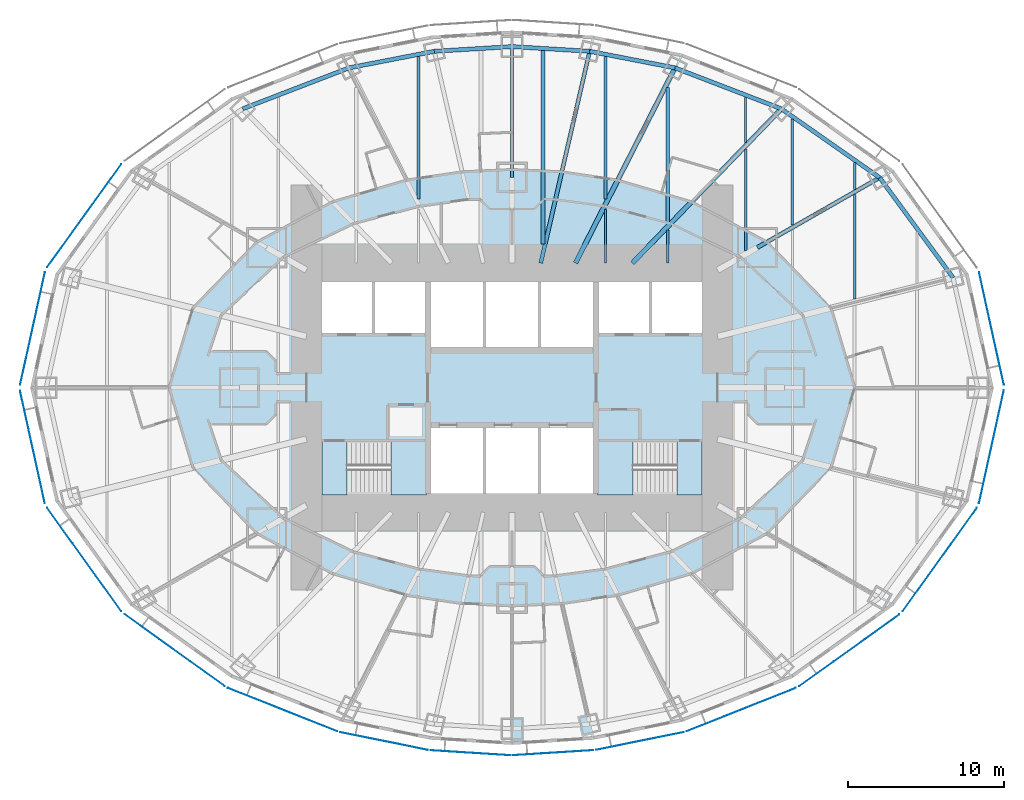
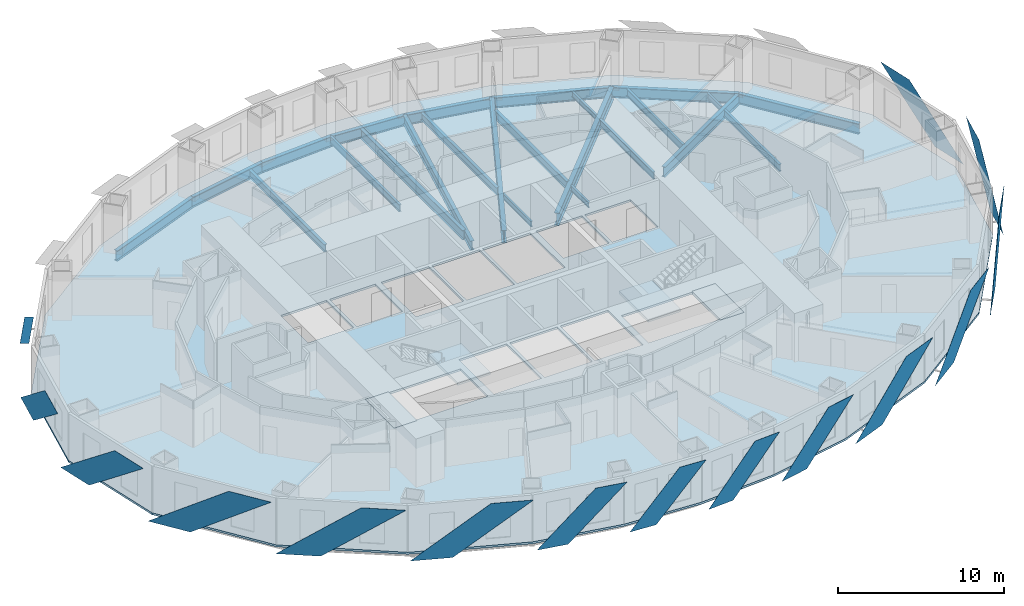
# One storey, part 3 of 15: 24 beams, 15 plates, 5 slabs, 2 elements without a shape of their own.
"""IFC4 building model written with IfcOpenShell, lengths in metres."""

from ifc_helpers import new_model, si_unit, direction, frame, origin, origin_2d, place, context, subcontext, project, spatial, polyline, i_section, outline, extrude, material, layer, layer_set, material_profile, profile_set, type_object, element, aggregate, save


model = new_model("IFC4")

# Units and contexts
model_context = context("Model", 3, precision=1e-05, world=origin(), true_north=direction((0.0, 1.0)))
body_context = subcontext(model_context, "Body", "Model", "MODEL_VIEW")
ifc_project = project(units=[si_unit("LENGTHUNIT", "METRE"), si_unit("AREAUNIT", "SQUARE_METRE"), si_unit("VOLUMEUNIT", "CUBIC_METRE"), si_unit("PLANEANGLEUNIT", "RADIAN"), si_unit("MASSUNIT", "GRAM", prefix="KILO")], contexts=[model_context])

# Site, building, storey
site_placement = place(None, origin())
site = spatial("IfcSite", under=ifc_project, at=site_placement, CompositionType="ELEMENT")
building_placement = place(site_placement, origin())
building = spatial("IfcBuilding", under=site, at=building_placement, Name="Lantaw Convention Tower", CompositionType="ELEMENT")
storey_placement = place(building_placement, frame((0.0, 0.0, 73.0)))
storey = spatial("IfcBuildingStorey", under=building, at=storey_placement, Name="L16", CompositionType="ELEMENT", Elevation=73.0)

# Beams
ifc_material_1 = material(Name="Steel ASTM A992", Category="steel")
ifc_material_profile_1 = material_profile(ifc_material_1, i_section(OverallWidth=0.2666015625, OverallDepth=0.76953125, WebThickness=0.015625, FlangeThickness=0.025390625, FilletRadius=0.0126953125, at=origin_2d()), Name="W30X132")
ifc_profile_set_1 = profile_set([ifc_material_profile_1], Name="Steel ASTM A992")
beam_type_1 = type_object("IfcBeamType", Name="Beam E W30X132", PredefinedType="SPANDREL", material=ifc_profile_set_1)
beam_1_placement = place(storey_placement, frame((28.31787109375, 7.060302734375, -0.534912109375), z_axis=(-0.591270709086, 0.806473154281, 0.0), x_axis=(-0.806473154281, -0.591270709086, 0.0)))
element("IfcBeam", 1, at=beam_1_placement, inside=storey, type_object=beam_type_1, Name="Edge beam 2", PredefinedType="SPANDREL", context=body_context, shape_type="SweptSolid", body=[
    extrude(i_section(OverallWidth=0.2666015625, OverallDepth=0.76953125, WebThickness=0.015625, FlangeThickness=0.025390625, FilletRadius=0.0126953125, at=origin_2d()), origin(), (0.0, 0.0, 1.0), 7.970703125),
])
beam_2_placement = place(storey_placement, frame((23.60498046875, 13.488525390625, -0.534912109375), z_axis=(-0.81942686407, 0.57318375277, 0.0), x_axis=(-0.57318375277, -0.81942686407, 0.0)))
element("IfcBeam", 2, at=beam_2_placement, inside=storey, type_object=beam_type_1, Name="Edge beam 3", PredefinedType="SPANDREL", context=body_context, shape_type="SweptSolid", body=[
    extrude(i_section(OverallWidth=0.2666015625, OverallDepth=0.76953125, WebThickness=0.015625, FlangeThickness=0.025390625, FilletRadius=0.0126953125, at=origin_2d()), origin(), (0.0, 0.0, 1.0), 7.70556640625),
])
beam_3_placement = place(storey_placement, frame((17.290771484375, 17.9052734375, -0.534912109375), z_axis=(-0.933232900641, 0.359271976588, 0.0), x_axis=(-0.359271976588, -0.933232900641, 0.0)))
element("IfcBeam", 3, at=beam_3_placement, inside=storey, type_object=beam_type_1, Name="Edge beam 4", PredefinedType="SPANDREL", context=body_context, shape_type="SweptSolid", body=[
    extrude(i_section(OverallWidth=0.2666015625, OverallDepth=0.76953125, WebThickness=0.015625, FlangeThickness=0.025390625, FilletRadius=0.0126953125, at=origin_2d()), origin(), (0.0, 0.0, 1.0), 7.316650390625),
])
beam_4_placement = place(storey_placement, frame((10.462646484375, 20.533935546875, -0.534912109375), z_axis=(-0.981636565323, 0.190760723474, 0.0), x_axis=(-0.190760723474, -0.981636565323, 0.0)))
element("IfcBeam", 4, at=beam_4_placement, inside=storey, type_object=beam_type_1, Name="Edge beam 5", PredefinedType="SPANDREL", context=body_context, shape_type="SweptSolid", body=[
    extrude(i_section(OverallWidth=0.2666015625, OverallDepth=0.76953125, WebThickness=0.015625, FlangeThickness=0.025390625, FilletRadius=0.0126953125, at=origin_2d()), origin(), (0.0, 0.0, 1.0), 5.578857421875),
])
for number, where, z_axis, x_axis, name in (
    (5, (4.986328125, 21.59814453125, -0.534912109375), (-0.998173858406, 0.060406526096, 0.0), (-0.060406526096, -0.998173858406, 0.0), "Edge beam 6"),
    (6, (0.0, 21.89990234375, -0.534912109375), (-0.998173858406, -0.060406526096, 0.0), (0.060406526096, -0.998173858406, 0.0), "Edge beam 7"),
):
    element("IfcBeam", number, at=place(storey_placement, frame(where, z_axis=z_axis, x_axis=x_axis)), inside=storey, type_object=beam_type_1, Name=name, PredefinedType="SPANDREL", context=body_context, shape_type="SweptSolid", body=[
        extrude(i_section(OverallWidth=0.2666015625, OverallDepth=0.76953125, WebThickness=0.015625, FlangeThickness=0.025390625, FilletRadius=0.0126953125, at=origin_2d()), origin(), (0.0, 0.0, 1.0), 4.995361328125),
    ])
beam_5_placement = place(storey_placement, frame((-4.986328125, 21.59814453125, -0.534912109375), z_axis=(-0.981636565323, -0.190760723474, 0.0), x_axis=(0.190760723474, -0.981636565323, 0.0)))
element("IfcBeam", 7, at=beam_5_placement, inside=storey, type_object=beam_type_1, Name="Edge beam 8", PredefinedType="SPANDREL", context=body_context, shape_type="SweptSolid", body=[
    extrude(i_section(OverallWidth=0.2666015625, OverallDepth=0.76953125, WebThickness=0.015625, FlangeThickness=0.025390625, FilletRadius=0.0126953125, at=origin_2d()), origin(), (0.0, 0.0, 1.0), 5.578857421875),
])
beam_6_placement = place(storey_placement, frame((-10.462646484375, 20.533935546875, -0.534912109375), z_axis=(-0.933232900641, -0.359271976588, 0.0), x_axis=(0.359271976588, -0.933232900641, 0.0)))
element("IfcBeam", 8, at=beam_6_placement, inside=storey, type_object=beam_type_1, Name="Edge beam 9", PredefinedType="SPANDREL", context=body_context, shape_type="SweptSolid", body=[
    extrude(i_section(OverallWidth=0.2666015625, OverallDepth=0.76953125, WebThickness=0.015625, FlangeThickness=0.025390625, FilletRadius=0.0126953125, at=origin_2d()), origin(), (0.0, 0.0, 1.0), 7.316650390625),
])
ifc_material_profile_2 = material_profile(ifc_material_1, i_section(OverallWidth=0.1650390625, OverallDepth=0.52587890625, WebThickness=0.0087890625, FlangeThickness=0.011474609375, FilletRadius=0.0126953125, at=origin_2d()), Name="W21X44")
ifc_profile_set_2 = profile_set([ifc_material_profile_2], Name="Steel ASTM A992")
beam_type_2 = type_object("IfcBeamType", Name="Beam G W21X44", PredefinedType="BEAM", material=ifc_profile_set_2)
beam_7_placement = place(storey_placement, frame((0.0, 13.5, -0.412841796875), z_axis=(0.0, 1.0, 0.0), x_axis=(-1.0, 0.0, 0.0)))
element("IfcBeam", 9, at=beam_7_placement, inside=storey, type_object=beam_type_2, Name="Floor girder on ray 7", PredefinedType="BEAM", context=body_context, shape_type="SweptSolid", body=[
    extrude(i_section(OverallWidth=0.1650390625, OverallDepth=0.52587890625, WebThickness=0.0087890625, FlangeThickness=0.011474609375, FilletRadius=0.0126953125, at=origin_2d()), origin(), (0.0, 0.0, 1.0), 8.39990234375),
])
ifc_material_profile_3 = material_profile(ifc_material_1, i_section(OverallWidth=0.25390625, OverallDepth=0.683349609375, WebThickness=0.012451171875, FlangeThickness=0.01904296875, FilletRadius=0.01513671875, at=origin_2d()), Name="W27X94")
ifc_profile_set_3 = profile_set([ifc_material_profile_3], Name="Steel ASTM A992")
beam_type_3 = type_object("IfcBeamType", Name="Beam G W27X94", PredefinedType="BEAM", material=ifc_profile_set_3)
beam_8_placement = place(storey_placement, frame((1.846923828125, 8.0, -0.49169921875), z_axis=(0.224952773175, 0.97436966796, 0.0), x_axis=(-0.97436966796, 0.224952773175, 0.0)))
element("IfcBeam", 10, at=beam_8_placement, inside=storey, type_object=beam_type_3, Name="Floor girder on ray 6", PredefinedType="BEAM", context=body_context, shape_type="SweptSolid", body=[
    extrude(i_section(OverallWidth=0.25390625, OverallDepth=0.683349609375, WebThickness=0.012451171875, FlangeThickness=0.01904296875, FilletRadius=0.01513671875, at=origin_2d()), origin(), (0.0, 0.0, 1.0), 13.955810546875),
])
ifc_material_profile_4 = material_profile(ifc_material_1, i_section(OverallWidth=0.2666015625, OverallDepth=0.7568359375, WebThickness=0.013916015625, FlangeThickness=0.019287109375, FilletRadius=0.0126953125, at=origin_2d()), Name="W30X108")
ifc_profile_set_4 = profile_set([ifc_material_profile_4], Name="Steel ASTM A992")
beam_type_4 = type_object("IfcBeamType", Name="Beam G W30X108", PredefinedType="BEAM", material=ifc_profile_set_4)
beam_9_placement = place(storey_placement, frame((15.75, 9.0, -0.528564453125), z_axis=(0.868244802791, 0.496136032179, 0.0), x_axis=(-0.496136032179, 0.868244802791, 0.0)))
element("IfcBeam", 11, at=beam_9_placement, inside=storey, type_object=beam_type_4, Name="Floor girder on ray 3", PredefinedType="BEAM", context=body_context, shape_type="SweptSolid", body=[
    extrude(i_section(OverallWidth=0.2666015625, OverallDepth=0.7568359375, WebThickness=0.013916015625, FlangeThickness=0.019287109375, FilletRadius=0.0126953125, at=origin_2d()), origin(), (0.0, 0.0, 1.0), 9.046875),
])
ifc_material_profile_5 = material_profile(ifc_material_1, i_section(OverallWidth=0.307373046875, OverallDepth=0.922119140625, WebThickness=0.018310546875, FlangeThickness=0.030029296875, FilletRadius=0.0126953125, at=origin_2d()), Name="W36X182")
ifc_profile_set_5 = profile_set([ifc_material_profile_5], Name="Steel ASTM A992")
beam_type_5 = type_object("IfcBeamType", Name="Beam G W36X182", PredefinedType="BEAM", material=ifc_profile_set_5)
beam_10_placement = place(storey_placement, frame((7.7255859375, 8.0, -0.611083984375), z_axis=(0.694649884291, 0.719347995239, 0.0), x_axis=(-0.719347995239, 0.694649884291, 0.0)))
element("IfcBeam", 12, at=beam_10_placement, inside=storey, type_object=beam_type_5, Name="Floor girder on ray 4", PredefinedType="BEAM", context=body_context, shape_type="SweptSolid", body=[
    extrude(i_section(OverallWidth=0.307373046875, OverallDepth=0.922119140625, WebThickness=0.018310546875, FlangeThickness=0.030029296875, FilletRadius=0.0126953125, at=origin_2d()), origin(), (0.0, 0.0, 1.0), 13.769775390625),
])
beam_11_placement = place(storey_placement, frame((4.076171875, 8.0, -0.611083984375), z_axis=(0.453997016122, 0.891003203896, 0.0), x_axis=(-0.891003203896, 0.453997016122, 0.0)))
element("IfcBeam", 13, at=beam_11_placement, inside=storey, type_object=beam_type_5, Name="Floor girder on ray 5", PredefinedType="BEAM", context=body_context, shape_type="SweptSolid", body=[
    extrude(i_section(OverallWidth=0.307373046875, OverallDepth=0.922119140625, WebThickness=0.018310546875, FlangeThickness=0.030029296875, FilletRadius=0.0126953125, at=origin_2d()), origin(), (0.0, 0.0, 1.0), 14.067138671875),
])
ifc_material_profile_6 = material_profile(ifc_material_1, i_section(OverallWidth=0.140380859375, OverallDepth=0.40380859375, WebThickness=0.007080078125, FlangeThickness=0.01123046875, FilletRadius=0.01025390625, at=origin_2d()), Name="W16X31")
ifc_profile_set_6 = profile_set([ifc_material_profile_6], Name="Steel ASTM A992")
beam_type_6 = type_object("IfcBeamType", Name="Beam J W16X31", PredefinedType="JOIST", material=ifc_profile_set_6)
beam_12_placement = place(storey_placement, frame((6.0, 8.0, -0.35205078125), z_axis=(0.0, 1.0, 0.0), x_axis=(-1.0, 0.0, 0.0)))
element("IfcBeam", 14, at=beam_12_placement, inside=storey, type_object=beam_type_6, Name="Floor joist", PredefinedType="JOIST", context=body_context, shape_type="SweptSolid", body=[
    extrude(i_section(OverallWidth=0.140380859375, OverallDepth=0.40380859375, WebThickness=0.007080078125, FlangeThickness=0.01123046875, FilletRadius=0.01025390625, at=origin_2d()), origin(), (0.0, 0.0, 1.0), 3.437255859375),
])
beam_13_placement = place(storey_placement, frame((10.0, 8.0, -0.35205078125), z_axis=(0.0, 1.0, 0.0), x_axis=(-1.0, 0.0, 0.0)))
element("IfcBeam", 15, at=beam_13_placement, inside=storey, type_object=beam_type_6, Name="Floor joist", PredefinedType="JOIST", context=body_context, shape_type="SweptSolid", body=[
    extrude(i_section(OverallWidth=0.140380859375, OverallDepth=0.40380859375, WebThickness=0.007080078125, FlangeThickness=0.01123046875, FilletRadius=0.01025390625, at=origin_2d()), origin(), (0.0, 0.0, 1.0), 2.134033203125),
])
beam_14_placement = place(storey_placement, frame((15.0, 15.754150390625, -0.35205078125), z_axis=(0.0, 1.0, 0.0), x_axis=(-1.0, 0.0, 0.0)))
element("IfcBeam", 16, at=beam_14_placement, inside=storey, type_object=beam_type_6, Name="Floor joist", PredefinedType="JOIST", context=body_context, shape_type="SweptSolid", body=[
    extrude(i_section(OverallWidth=0.140380859375, OverallDepth=0.40380859375, WebThickness=0.007080078125, FlangeThickness=0.01123046875, FilletRadius=0.01025390625, at=origin_2d()), origin(), (0.0, 0.0, 1.0), 2.89013671875),
])
beam_15_placement = place(storey_placement, frame((22.0, 12.72509765625, -0.35205078125), z_axis=(0.0, 1.0, 0.0), x_axis=(-1.0, 0.0, 0.0)))
element("IfcBeam", 17, at=beam_15_placement, inside=storey, type_object=beam_type_6, Name="Floor joist", PredefinedType="JOIST", context=body_context, shape_type="SweptSolid", body=[
    extrude(i_section(OverallWidth=0.140380859375, OverallDepth=0.40380859375, WebThickness=0.007080078125, FlangeThickness=0.01123046875, FilletRadius=0.01025390625, at=origin_2d()), origin(), (0.0, 0.0, 1.0), 1.723388671875),
])
ifc_material_profile_7 = material_profile(ifc_material_1, i_section(OverallWidth=0.1650390625, OverallDepth=0.52587890625, WebThickness=0.0087890625, FlangeThickness=0.011474609375, FilletRadius=0.0126953125, at=origin_2d()), Name="W21X44")
ifc_profile_set_7 = profile_set([ifc_material_profile_7], Name="Steel ASTM A992")
beam_type_7 = type_object("IfcBeamType", Name="Beam J W21X44", PredefinedType="JOIST", material=ifc_profile_set_7)
beam_16_placement = place(storey_placement, frame((15.0, 8.803955078125, -0.412841796875), z_axis=(0.0, 1.0, 0.0), x_axis=(-1.0, 0.0, 0.0)))
element("IfcBeam", 18, at=beam_16_placement, inside=storey, type_object=beam_type_7, Name="Floor joist", PredefinedType="JOIST", context=body_context, shape_type="SweptSolid", body=[
    extrude(i_section(OverallWidth=0.1650390625, OverallDepth=0.52587890625, WebThickness=0.0087890625, FlangeThickness=0.011474609375, FilletRadius=0.0126953125, at=origin_2d()), origin(), (0.0, 0.0, 1.0), 6.5078125),
])
beam_17_placement = place(storey_placement, frame((18.0, 10.439208984375, -0.412841796875), z_axis=(0.0, 1.0, 0.0), x_axis=(-1.0, 0.0, 0.0)))
element("IfcBeam", 19, at=beam_17_placement, inside=storey, type_object=beam_type_7, Name="Floor joist", PredefinedType="JOIST", context=body_context, shape_type="SweptSolid", body=[
    extrude(i_section(OverallWidth=0.1650390625, OverallDepth=0.52587890625, WebThickness=0.0087890625, FlangeThickness=0.011474609375, FilletRadius=0.0126953125, at=origin_2d()), origin(), (0.0, 0.0, 1.0), 6.80712890625),
])
beam_18_placement = place(storey_placement, frame((22.0, 5.693359375, -0.412841796875), z_axis=(0.0, 1.0, 0.0), x_axis=(-1.0, 0.0, 0.0)))
element("IfcBeam", 20, at=beam_18_placement, inside=storey, type_object=beam_type_7, Name="Floor joist", PredefinedType="JOIST", context=body_context, shape_type="SweptSolid", body=[
    extrude(i_section(OverallWidth=0.1650390625, OverallDepth=0.52587890625, WebThickness=0.0087890625, FlangeThickness=0.011474609375, FilletRadius=0.0126953125, at=origin_2d()), origin(), (0.0, 0.0, 1.0), 6.724609375),
])
ifc_material_profile_8 = material_profile(ifc_material_1, i_section(OverallWidth=0.2099609375, OverallDepth=0.535888671875, WebThickness=0.010986328125, FlangeThickness=0.017333984375, FilletRadius=0.012939453125, at=origin_2d()), Name="W21X68")
ifc_profile_set_8 = profile_set([ifc_material_profile_8], Name="Steel ASTM A992")
beam_type_8 = type_object("IfcBeamType", Name="Beam J W21X68", PredefinedType="JOIST", material=ifc_profile_set_8)
for number, where, z_axis, x_axis, name in (
    (21, (-6.0, 12.1142578125, -0.41796875), (0.0, 1.0, 0.0), (-1.0, 0.0, 0.0), "Floor joist"),
    (22, (6.0, 12.1142578125, -0.41796875), (0.0, 1.0, 0.0), (-1.0, 0.0, 0.0), "Floor joist"),
):
    element("IfcBeam", number, at=place(storey_placement, frame(where, z_axis=z_axis, x_axis=x_axis)), inside=storey, type_object=beam_type_8, Name=name, PredefinedType="JOIST", context=body_context, shape_type="SweptSolid", body=[
        extrude(i_section(OverallWidth=0.2099609375, OverallDepth=0.535888671875, WebThickness=0.010986328125, FlangeThickness=0.017333984375, FilletRadius=0.012939453125, at=origin_2d()), origin(), (0.0, 0.0, 1.0), 9.15087890625),
    ])
ifc_material_profile_9 = material_profile(ifc_material_1, i_section(OverallWidth=0.227783203125, OverallDepth=0.60205078125, WebThickness=0.010498046875, FlangeThickness=0.014892578125, FilletRadius=0.012939453125, at=origin_2d()), Name="W24X68")
ifc_profile_set_9 = profile_set([ifc_material_profile_9], Name="Steel ASTM A992")
beam_type_9 = type_object("IfcBeamType", Name="Beam J W24X68", PredefinedType="JOIST", material=ifc_profile_set_9)
beam_19_placement = place(storey_placement, frame((10.0, 10.576416015625, -0.450927734375), z_axis=(0.0, 1.0, 0.0), x_axis=(-1.0, 0.0, 0.0)))
element("IfcBeam", 23, at=beam_19_placement, inside=storey, type_object=beam_type_9, Name="Floor joist", PredefinedType="JOIST", context=body_context, shape_type="SweptSolid", body=[
    extrude(i_section(OverallWidth=0.227783203125, OverallDepth=0.60205078125, WebThickness=0.010498046875, FlangeThickness=0.014892578125, FilletRadius=0.012939453125, at=origin_2d()), origin(), (0.0, 0.0, 1.0), 8.711181640625),
])
ifc_material_profile_10 = material_profile(ifc_material_1, i_section(OverallWidth=0.25390625, OverallDepth=0.700927734375, WebThickness=0.015380859375, FlangeThickness=0.02783203125, FilletRadius=0.01513671875, at=origin_2d()), Name="W27X129")
ifc_profile_set_10 = profile_set([ifc_material_profile_10], Name="Steel ASTM A992")
beam_type_10 = type_object("IfcBeamType", Name="Beam J W27X129", PredefinedType="JOIST", material=ifc_profile_set_10)
beam_20_placement = place(storey_placement, frame((2.0, 9.2275390625, -0.50048828125), z_axis=(0.0, 1.0, 0.0), x_axis=(-1.0, 0.0, 0.0)))
element("IfcBeam", 24, at=beam_20_placement, inside=storey, type_object=beam_type_10, Name="Floor joist", PredefinedType="JOIST", context=body_context, shape_type="SweptSolid", body=[
    extrude(i_section(OverallWidth=0.25390625, OverallDepth=0.700927734375, WebThickness=0.015380859375, FlangeThickness=0.02783203125, FilletRadius=0.01513671875, at=origin_2d()), origin(), (0.0, 0.0, 1.0), 12.417724609375),
])

# Slab
ifc_material_2 = material(Name="Concrete C35/45", Category="concrete")
ifc_layer_1 = layer(ifc_material_2, 0.14990234375)
ifc_layer_set_1 = layer_set([ifc_layer_1], Name="Floor slab 150")
slab_type_1 = type_object("IfcSlabType", Name="Floor slab 150", PredefinedType="FLOOR", material=ifc_layer_set_1)
slab_1_placement = place(storey_placement, frame((0.0, 0.0, -0.14990234375)))
element("IfcSlab", 25, at=slab_1_placement, inside=storey, type_object=slab_type_1, Name="L16 floor slab", PredefinedType="FLOOR", context=body_context, shape_type="SweptSolid", body=[
    extrude(outline(polyline([(29.315185546875, -7.29541015625), (30.923095703125, 0.0), (29.315185546875, 7.29541015625), (24.50634765625, 13.98046875), (18.018798828125, 18.630126953125), (10.9404296875, 21.44189453125), (5.223876953125, 22.59521484375), (0.0, 22.9248046875), (-5.223876953125, 22.59521484375), (-10.9404296875, 21.44189453125), (-18.018798828125, 18.630126953125), (-24.50634765625, 13.98046875), (-29.315185546875, 7.29541015625), (-30.923095703125, 0.0), (-29.315185546875, -7.29541015625), (-24.50634765625, -13.98046875), (-18.018798828125, -18.630126953125), (-10.9404296875, -21.44189453125), (-5.223876953125, -22.59521484375), (0.0, -22.9248046875), (5.223876953125, -22.59521484375), (10.9404296875, -21.44189453125), (18.018798828125, -18.630126953125), (24.50634765625, -13.98046875), (29.315185546875, -7.29541015625)]), holes=[polyline([(-5.60009765625, -3.5), (-12.199951171875, -3.5), (-12.199951171875, -6.800048828125), (-5.60009765625, -6.800048828125), (-5.60009765625, -3.5)]), polyline([(-1.86669921875, -6.800048828125), (-1.86669921875, -2.60009765625), (-5.199951171875, -2.60009765625), (-5.199951171875, -6.800048828125), (-1.86669921875, -6.800048828125)]), polyline([(-1.86669921875, 2.60009765625), (-1.86669921875, 6.800048828125), (-5.199951171875, 6.800048828125), (-5.199951171875, 2.60009765625), (-1.86669921875, 2.60009765625)]), polyline([(1.666748046875, 6.800048828125), (-1.666748046875, 6.800048828125), (-1.666748046875, 2.60009765625), (1.666748046875, 2.60009765625), (1.666748046875, 6.800048828125)]), polyline([(-9.0, 3.5), (-9.0, 6.800048828125), (-12.199951171875, 6.800048828125), (-12.199951171875, 3.5), (-9.0, 3.5)]), polyline([(-5.60009765625, 3.5), (-5.60009765625, 6.800048828125), (-8.800048828125, 6.800048828125), (-8.800048828125, 3.5), (-5.60009765625, 3.5)]), polyline([(12.199951171875, -3.5), (5.60009765625, -3.5), (5.60009765625, -6.800048828125), (12.199951171875, -6.800048828125), (12.199951171875, -3.5)]), polyline([(1.666748046875, -6.800048828125), (1.666748046875, -2.60009765625), (-1.666748046875, -2.60009765625), (-1.666748046875, -6.800048828125), (1.666748046875, -6.800048828125)]), polyline([(5.199951171875, -6.800048828125), (5.199951171875, -2.60009765625), (1.86669921875, -2.60009765625), (1.86669921875, -6.800048828125), (5.199951171875, -6.800048828125)]), polyline([(5.199951171875, 6.800048828125), (1.86669921875, 6.800048828125), (1.86669921875, 2.60009765625), (5.199951171875, 2.60009765625), (5.199951171875, 6.800048828125)]), polyline([(8.800048828125, 3.5), (8.800048828125, 6.800048828125), (5.60009765625, 6.800048828125), (5.60009765625, 3.5), (8.800048828125, 3.5)]), polyline([(12.199951171875, 3.5), (12.199951171875, 6.800048828125), (9.0, 6.800048828125), (9.0, 3.5), (12.199951171875, 3.5)])]), origin(), (0.0, 0.0, 1.0), 0.14990234375),
])

# Plates
ifc_material_3 = material(Name="Perforated aluminium sheet, pale silver finish", Category="aluminium")
ifc_layer_2 = layer(ifc_material_3, 0.006103515625)
ifc_layer_set_2 = layer_set([ifc_layer_2], Name="Perforated aluminium solar SCREEN panel")
plate_type = type_object("IfcPlateType", Name="Perforated aluminium solar SCREEN panel", PredefinedType="SHEET", material=ifc_layer_set_2)
plate_1_placement = place(storey_placement, frame((31.5810546875, 0.17919921875, -0.175048828125), z_axis=(-0.97655943558, -0.215247921852, 3.0295023e-05), x_axis=(-0.215247921951, 0.976559436028, 3.12e-10)))
element("IfcPlate", 26, at=plate_1_placement, inside=storey, type_object=plate_type, Name="Solar SCREEN panel", PredefinedType="SHEET", context=body_context, shape_type="SweptSolid", body=[
    extrude(outline(polyline([(0.0, 0.0), (2.551002212329069, 3.3881317890172014e-21), (7.402498252985418, -3.739990233781388), (4.851734458487411, -3.7399902353733405), (0.0, 0.0)])), origin(), (0.0, 0.0, -1.0), 0.006103515625),
])
plate_2_placement = place(storey_placement, frame((-25.0810546875, 14.34765625, -0.175048828125), z_axis=(0.811791382613, -0.583947558463, 9.019268e-06), x_axis=(-0.583947558486, -0.811791382646, 0.0)))
element("IfcPlate", 27, at=plate_2_placement, inside=storey, type_object=plate_type, Name="Solar SCREEN panel", PredefinedType="SHEET", context=body_context, shape_type="SweptSolid", body=[
    extrude(outline(polyline([(0.0, 0.0), (2.809541672291133, 0.0), (8.163093158837512, -3.739990234527119), (5.353551486546379, -3.739990234527119), (0.0, 0.0)])), origin(), (0.0, 0.0, -1.0), 0.006103515625),
])
plate_3_placement = place(storey_placement, frame((-29.98779296875, 7.408203125, -0.175048828125), z_axis=(-0.97655943558, 0.215247921852, 3.0295023e-05), x_axis=(-0.215247921951, -0.976559436028, -3.12e-10)))
element("IfcPlate", 28, at=plate_3_placement, inside=storey, type_object=plate_type, Name="Solar SCREEN panel", PredefinedType="SHEET", context=body_context, shape_type="SweptSolid", body=[
    extrude(outline(polyline([(0.0, 0.0), (2.5507637944980077, 6.776263578034403e-21), (7.402498250651261, 3.7399902384013473), (4.851496038322192, 3.739990236809246), (0.0, 0.0)])), origin(), (0.0, 0.0, -1.0), 0.006103515625),
])
plate_4_placement = place(storey_placement, frame((-31.5810546875, -0.17919921875, -0.175048828125), z_axis=(0.97655943558, 0.215247921852, 3.0295023e-05), x_axis=(0.215247921951, -0.976559436028, 3.12e-10)))
element("IfcPlate", 29, at=plate_4_placement, inside=storey, type_object=plate_type, Name="Solar SCREEN panel", PredefinedType="SHEET", context=body_context, shape_type="SweptSolid", body=[
    extrude(outline(polyline([(0.0, 0.0), (2.551002212329069, 3.3881317890172014e-21), (7.402498252985418, -3.739990233781388), (4.851734458487411, -3.7399902353733405), (0.0, 0.0)])), origin(), (0.0, 0.0, -1.0), 0.006103515625),
])
plate_5_placement = place(storey_placement, frame((-29.847900390625, -7.720947265625, -0.175048828125), z_axis=(-0.811791382613, -0.583947558463, 9.019268e-06), x_axis=(0.583947558486, -0.811791382646, 0.0)))
element("IfcPlate", 30, at=plate_5_placement, inside=storey, type_object=plate_type, Name="Solar SCREEN panel", PredefinedType="SHEET", context=body_context, shape_type="SweptSolid", body=[
    extrude(outline(polyline([(0.0, 0.0), (2.809541672291133, 0.0), (8.163093158837512, 3.739990234527119), (5.353551486546379, 3.739990234527119), (0.0, 0.0)])), origin(), (0.0, 0.0, -1.0), 0.006103515625),
])
plate_6_placement = place(storey_placement, frame((-24.872314453125, -14.555908203125, -0.175048828125), z_axis=(-0.582561421998, -0.812786681331, 1.5819417e-05), x_axis=(0.812786681433, -0.582561422071, 0.0)))
element("IfcPlate", 31, at=plate_6_placement, inside=storey, type_object=plate_type, Name="Solar SCREEN panel", PredefinedType="SHEET", context=body_context, shape_type="SweptSolid", body=[
    extrude(outline(polyline([(0.0, 0.0), (2.721095180812288, 3.3881317890172014e-21), (7.903118572410756, 3.739990234842974), (5.182023391598468, 3.739990234842974), (0.0, 0.0)])), origin(), (0.0, 0.0, -1.0), 0.006103515625),
])
plate_7_placement = place(storey_placement, frame((-18.232177734375, -19.278076171875, -0.175048828125), z_axis=(0.369183532846, 0.929356508016, 9.163296e-06), x_axis=(0.929356508055, -0.369183532862, 0.0)))
element("IfcPlate", 32, at=plate_7_placement, inside=storey, type_object=plate_type, Name="Solar SCREEN panel", PredefinedType="SHEET", context=body_context, shape_type="SweptSolid", body=[
    extrude(outline(polyline([(0.0, 0.0), (2.594936467166582, -1.6940658945086007e-21), (7.5321069917580825, -3.739990234532016), (4.937170524591499, -3.739990234532016), (0.0, 0.0)])), origin(), (0.0, 0.0, -1.0), 0.006103515625),
])
plate_8_placement = place(storey_placement, frame((-11.03271484375, -22.117919921875, -0.175048828125), z_axis=(0.197781876197, 0.980246055561, 2.418535e-06), x_axis=(0.980246055563, -0.197781876198, 1.46e-10)))
element("IfcPlate", 33, at=plate_8_placement, inside=storey, type_object=plate_type, Name="Solar SCREEN panel", PredefinedType="SHEET", context=body_context, shape_type="SweptSolid", body=[
    extrude(outline(polyline([(0.0, 0.0), (1.9867801772236329, -3.1763735522036263e-22), (5.743587245978565, -3.7399902335493134), (3.7568553553458006, -3.739990234128105), (0.0, 0.0)])), origin(), (0.0, 0.0, -1.0), 0.006103515625),
])
plate_9_placement = place(storey_placement, frame((-5.221923828125, -23.27783203125, -0.175048828125), z_axis=(0.062923905251, 0.998018327468, 1.3605496e-05), x_axis=(0.998018327561, -0.062923905257, 9.3e-10)))
element("IfcPlate", 34, at=plate_9_placement, inside=storey, type_object=plate_type, Name="Solar SCREEN panel", PredefinedType="SHEET", context=body_context, shape_type="SweptSolid", body=[
    extrude(outline(polyline([(0.0, 0.0), (1.7828375409377817, -2.117582368135751e-22), (5.143985963027618, -3.739990229938699), (3.3611637843713935, -3.7399902332537565), (0.0, 0.0)])), origin(), (0.0, 0.0, -1.0), 0.006103515625),
])
plate_10_placement = place(storey_placement, frame((0.088134765625, -23.6015625, -0.175048828125), z_axis=(0.062923905251, -0.998018327468, 1.3605496e-05), x_axis=(0.998018327561, 0.062923905257, -9.3e-10)))
element("IfcPlate", 35, at=plate_10_placement, inside=storey, type_object=plate_type, Name="Solar SCREEN panel", PredefinedType="SHEET", context=body_context, shape_type="SweptSolid", body=[
    extrude(outline(polyline([(0.0, 0.0), (1.782822178656225, -2.117582368135751e-22), (5.143985956073316, 3.7399902395036517), (3.3611484151355353, 3.7399902361885653), (0.0, 0.0)])), origin(), (0.0, 0.0, -1.0), 0.006103515625),
])
plate_11_placement = place(storey_placement, frame((5.402587890625, -23.25390625, -0.175048828125), z_axis=(0.197781876197, -0.980246055561, 2.418535e-06), x_axis=(0.980246055563, 0.197781876198, -1.46e-10)))
element("IfcPlate", 36, at=plate_11_placement, inside=storey, type_object=plate_type, Name="Solar SCREEN panel", PredefinedType="SHEET", context=body_context, shape_type="SweptSolid", body=[
    extrude(outline(polyline([(0.0, 0.0), (1.9867318906327642, 1.0587911840678754e-22), (5.743587244888999, 3.7399902352225842), (3.7568070676653664, 3.7399902346437783), (0.0, 0.0)])), origin(), (0.0, 0.0, -1.0), 0.006103515625),
])
plate_12_placement = place(storey_placement, frame((11.232177734375, -22.058837890625, -0.175048828125), z_axis=(0.369183532846, -0.929356508016, 9.163296e-06), x_axis=(0.929356508055, 0.369183532862, 0.0)))
element("IfcPlate", 37, at=plate_12_placement, inside=storey, type_object=plate_type, Name="Solar SCREEN panel", PredefinedType="SHEET", context=body_context, shape_type="SweptSolid", body=[
    extrude(outline(polyline([(0.0, 0.0), (2.594936467166582, 1.6940658945086007e-21), (7.5321069917580825, 3.739990234532016), (4.937170524591499, 3.739990234532016), (0.0, 0.0)])), origin(), (0.0, 0.0, -1.0), 0.006103515625),
])
plate_13_placement = place(storey_placement, frame((18.44873046875, -19.159912109375, -0.175048828125), z_axis=(-0.582561421998, 0.812786681331, 1.5819417e-05), x_axis=(0.812786681433, 0.582561422071, 0.0)))
element("IfcPlate", 38, at=plate_13_placement, inside=storey, type_object=plate_type, Name="Solar SCREEN panel", PredefinedType="SHEET", context=body_context, shape_type="SweptSolid", body=[
    extrude(outline(polyline([(0.0, 0.0), (2.721095180812288, -3.3881317890172014e-21), (7.903118572410756, -3.739990234842974), (5.182023391598468, -3.739990234842974), (0.0, 0.0)])), origin(), (0.0, 0.0, -1.0), 0.006103515625),
])
plate_14_placement = place(storey_placement, frame((25.0810546875, -14.34765625, -0.175048828125), z_axis=(-0.811791382613, 0.583947558463, 9.019268e-06), x_axis=(0.583947558486, 0.811791382646, 0.0)))
element("IfcPlate", 39, at=plate_14_placement, inside=storey, type_object=plate_type, Name="Solar SCREEN panel", PredefinedType="SHEET", context=body_context, shape_type="SweptSolid", body=[
    extrude(outline(polyline([(0.0, 0.0), (2.809541672291133, 0.0), (8.163093158837512, -3.739990234527119), (5.353551486546379, -3.739990234527119), (0.0, 0.0)])), origin(), (0.0, 0.0, -1.0), 0.006103515625),
])
plate_15_placement = place(storey_placement, frame((29.98779296875, -7.408203125, -0.175048828125), z_axis=(0.97655943558, -0.215247921852, 3.0295023e-05), x_axis=(0.215247921951, 0.976559436028, -3.12e-10)))
element("IfcPlate", 40, at=plate_15_placement, inside=storey, type_object=plate_type, Name="Solar SCREEN panel", PredefinedType="SHEET", context=body_context, shape_type="SweptSolid", body=[
    extrude(outline(polyline([(0.0, 0.0), (2.5507637944980077, 6.776263578034403e-21), (7.402498250651261, 3.7399902384013473), (4.851496038322192, 3.739990236809246), (0.0, 0.0)])), origin(), (0.0, 0.0, -1.0), 0.006103515625),
])

# Stair, slabs
stair_type = type_object("IfcStairType", Name="Exit stair 1500 riser 163.64 in 2 flights", PredefinedType="HALF_TURN_STAIR", material=ifc_material_2)
stair_1_placement = place(storey_placement, origin())
stair_1 = element("IfcStair", 41, at=stair_1_placement, inside=storey, type_object=stair_type, Name="Exit stair S1 L16", PredefinedType="HALF_TURN_STAIR")
ifc_layer_3 = layer(ifc_material_2, 0.199951171875)
ifc_layer_set_3 = layer_set([ifc_layer_3], Name="Stair landing 200")
slab_type_2 = type_object("IfcSlabType", Name="Stair landing 200", PredefinedType="LANDING", material=ifc_layer_set_3)
slab_2_placement = place(storey_placement, frame((0.0, 0.0, -0.199951171875)))
slab_2 = element("IfcSlab", 42, at=slab_2_placement, type_object=slab_type_2, Name="S1 landing 1", PredefinedType="LANDING", context=body_context, shape_type="SweptSolid", body=[
    extrude(outline(polyline([(-12.199951171875, -6.89990234375), (-10.580078125, -6.89990234375), (-10.580078125, -3.39990234375), (-12.199951171875, -3.39990234375), (-12.199951171875, -6.89990234375)])), origin(), (0.0, 0.0, 1.0), 0.199951171875),
])
slab_3_placement = place(storey_placement, frame((0.0, 0.0, 1.60009765625)))
slab_3 = element("IfcSlab", 43, at=slab_3_placement, type_object=slab_type_2, Name="S1 landing 2", PredefinedType="LANDING", context=body_context, shape_type="SweptSolid", body=[
    extrude(outline(polyline([(-7.780029296875, -6.89990234375), (-5.5, -6.89990234375), (-5.5, -3.39990234375), (-7.780029296875, -3.39990234375), (-7.780029296875, -6.89990234375)])), origin(), (0.0, 0.0, 1.0), 0.199951171875),
])
aggregate(stair_1, [slab_2, slab_3])

stair_2_placement = place(storey_placement, origin())
stair_2 = element("IfcStair", 44, at=stair_2_placement, inside=storey, type_object=stair_type, Name="Exit stair S2 L16", PredefinedType="HALF_TURN_STAIR")
slab_4_placement = place(storey_placement, frame((0.0, 0.0, -0.199951171875)))
slab_4 = element("IfcSlab", 45, at=slab_4_placement, type_object=slab_type_2, Name="S2 landing 1", PredefinedType="LANDING", context=body_context, shape_type="SweptSolid", body=[
    extrude(outline(polyline([(10.580078125, -6.89990234375), (12.199951171875, -6.89990234375), (12.199951171875, -3.39990234375), (10.580078125, -3.39990234375), (10.580078125, -6.89990234375)])), origin(), (0.0, 0.0, 1.0), 0.199951171875),
])
slab_5_placement = place(storey_placement, frame((0.0, 0.0, 1.60009765625)))
slab_5 = element("IfcSlab", 46, at=slab_5_placement, type_object=slab_type_2, Name="S2 landing 2", PredefinedType="LANDING", context=body_context, shape_type="SweptSolid", body=[
    extrude(outline(polyline([(5.5, -6.89990234375), (7.780029296875, -6.89990234375), (7.780029296875, -3.39990234375), (5.5, -3.39990234375), (5.5, -6.89990234375)])), origin(), (0.0, 0.0, 1.0), 0.199951171875),
])
aggregate(stair_2, [slab_4, slab_5])

save(model, "model.ifc")
